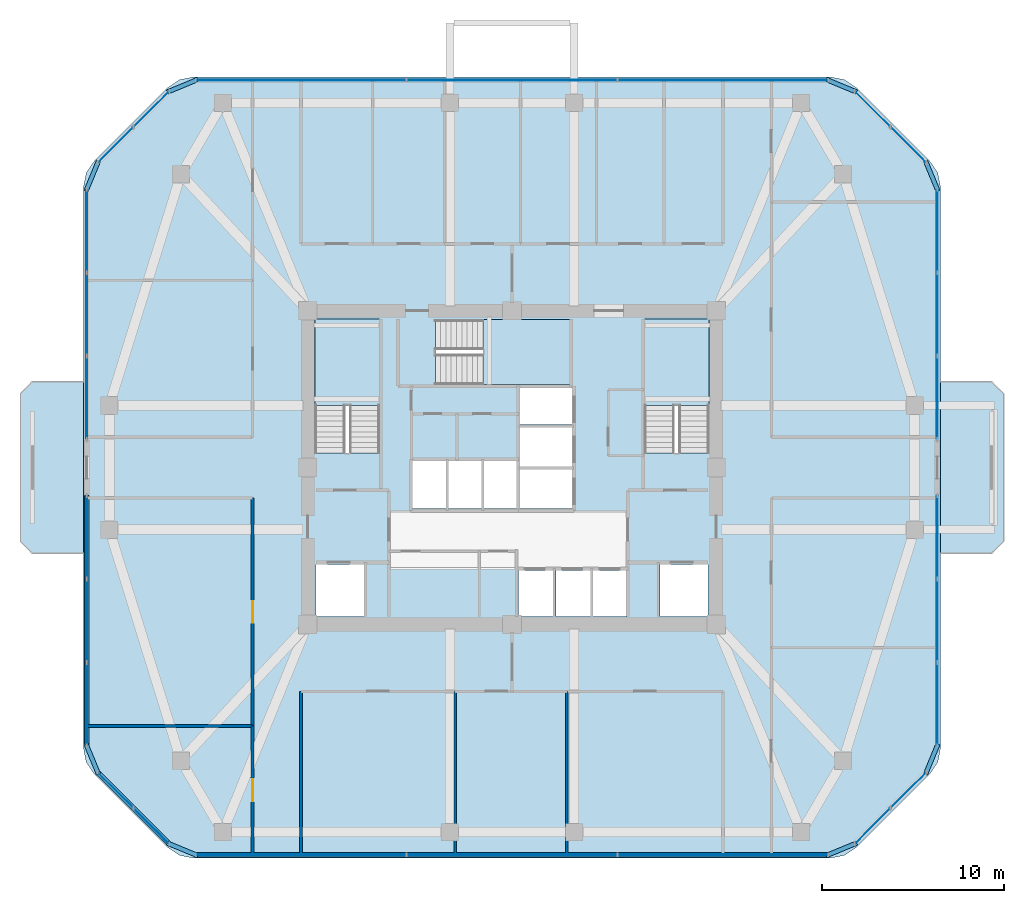
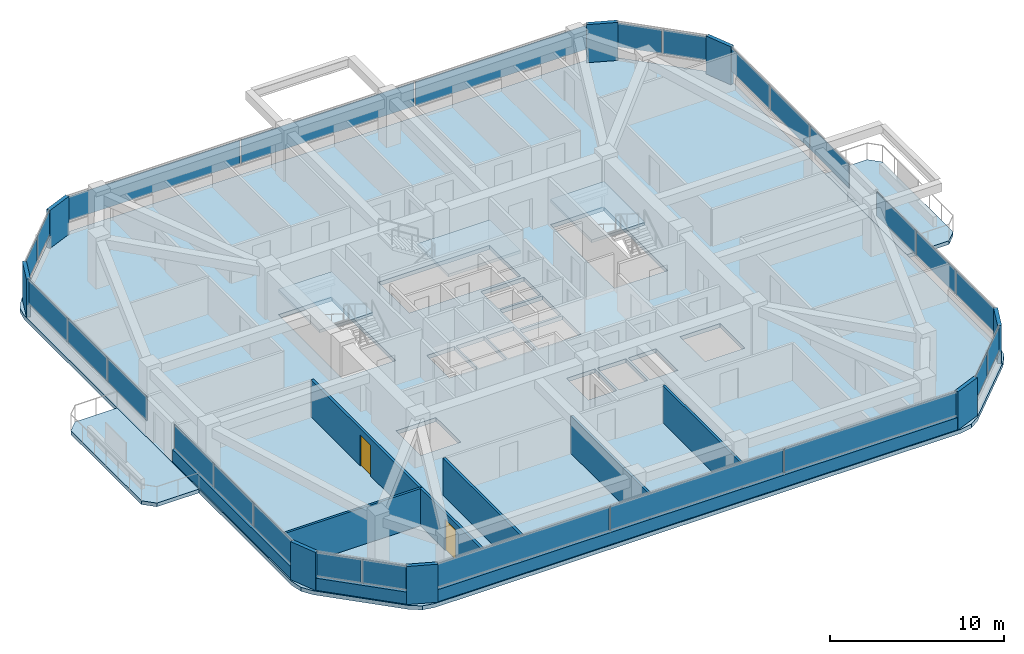
# One storey, part 7 of 13: 34 plates, 9 walls, 6 slabs, 2 doors, 2 openings, 13 elements without a shape of their own.
"""IFC4 building model written with IfcOpenShell, lengths in metres."""

from ifc_helpers import new_model, si_unit, derived_unit, direction, frame, frame_2d, origin, origin_2d, place, context, subcontext, project, spatial, polyline, rectangle, outline, extrude, material, layer, layer_set, type_object, element, fill, aggregate, save


model = new_model("IFC4")

# Units and contexts
model_context = context("Model", 3, precision=1e-05, world=origin(), true_north=direction((0.0, 1.0)))
body_context = subcontext(model_context, "Body", "Model", "MODEL_VIEW")
ifc_project = project(units=[si_unit("LENGTHUNIT", "METRE"), si_unit("AREAUNIT", "SQUARE_METRE"), si_unit("VOLUMEUNIT", "CUBIC_METRE"), si_unit("PLANEANGLEUNIT", "RADIAN"), si_unit("MASSUNIT", "GRAM", prefix="KILO"), derived_unit("THERMALTRANSMITTANCEUNIT", [(si_unit("POWERUNIT", "WATT"), 1), (si_unit("LENGTHUNIT", "METRE"), -2), (si_unit("THERMODYNAMICTEMPERATUREUNIT", "KELVIN"), -1)])], contexts=[model_context])

# Site, building, storey
site_placement = place(None, origin())
site = spatial("IfcSite", under=ifc_project, at=site_placement, CompositionType="ELEMENT")
building_placement = place(site_placement, origin())
building = spatial("IfcBuilding", under=site, at=building_placement, Name="Koralith Skygarden Medical Center", CompositionType="ELEMENT")
storey_placement = place(building_placement, frame((0.0, 0.0, 156.419921875)))
storey = spatial("IfcBuildingStorey", under=building, at=storey_placement, Name="L40", CompositionType="ELEMENT", Elevation=156.419921875)

# Curtain wall, plates
ifc_material_1 = material(Name="Clear Laminated Glass", Category="glass")
curtain_wall_type = type_object("IfcCurtainWallType", Name="CW-4 Zone 3 Waist High-Wind Curtain Wall", PredefinedType="NOTDEFINED", material=ifc_material_1)
curtain_wall_1_placement = place(storey_placement, origin())
curtain_wall_1 = element("IfcCurtainWall", 1, at=curtain_wall_1_placement, inside=storey, type_object=curtain_wall_type, Name="Curtain Wall CW-L40-S", PredefinedType="NOTDEFINED")
ifc_layer_1 = layer(ifc_material_1, 0.035888671875)
ifc_layer_set_1 = layer_set([ifc_layer_1], Name="Clear Laminated Glass")
plate_type_1 = type_object("IfcPlateType", Name="CW-4 Hurricane Laminated IGU Panel 36", PredefinedType="CURTAIN_PANEL", material=ifc_layer_set_1)
plate_1_placement = place(storey_placement, frame((25.447021484375, 4.679931640625, 0.919921875), z_axis=(0.0, 0.0, 1.0), x_axis=(1.0, 0.0, 0.0)))
plate_1 = element("IfcPlate", 2, at=plate_1_placement, type_object=plate_type_1, Name="CW-L40-S Glazed Panel 1", PredefinedType="CURTAIN_PANEL", context=body_context, shape_type="SweptSolid", body=[
    extrude(rectangle(XDim=11.462890625, YDim=0.035888671875, at=origin_2d()), origin(), (0.0, 0.0, 1.0), 1.679931640625),
])
plate_2_placement = place(storey_placement, frame((37.0, 4.679931640625, 0.919921875), z_axis=(0.0, 0.0, 1.0), x_axis=(1.0, 0.0, 0.0)))
plate_2 = element("IfcPlate", 3, at=plate_2_placement, type_object=plate_type_1, Name="CW-L40-S Glazed Panel 2", PredefinedType="CURTAIN_PANEL", context=body_context, shape_type="SweptSolid", body=[
    extrude(rectangle(XDim=11.462890625, YDim=0.035888671875, at=origin_2d()), origin(), (0.0, 0.0, 1.0), 1.679931640625),
])
plate_3_placement = place(storey_placement, frame((48.552978515625, 4.679931640625, 0.919921875), z_axis=(0.0, 0.0, 1.0), x_axis=(1.0, 0.0, 0.0)))
plate_3 = element("IfcPlate", 4, at=plate_3_placement, type_object=plate_type_1, Name="CW-L40-S Glazed Panel 3", PredefinedType="CURTAIN_PANEL", context=body_context, shape_type="SweptSolid", body=[
    extrude(rectangle(XDim=11.462890625, YDim=0.035888671875, at=origin_2d()), origin(), (0.0, 0.0, 1.0), 1.679931640625),
])
aggregate(curtain_wall_1, [plate_1, plate_2, plate_3])

curtain_wall_2_placement = place(storey_placement, origin())
curtain_wall_2 = element("IfcCurtainWall", 5, at=curtain_wall_2_placement, inside=storey, type_object=curtain_wall_type, Name="Curtain Wall CW-L40-SE", PredefinedType="NOTDEFINED")
plate_4_placement = place(storey_placement, frame((56.760986328125, 6.261962890625, 0.919921875), z_axis=(0.0, 0.0, 1.0), x_axis=(0.707106781187, 0.707106781187, 0.0)))
plate_4 = element("IfcPlate", 6, at=plate_4_placement, type_object=plate_type_1, Name="CW-L40-SE Glazed Panel 1", PredefinedType="CURTAIN_PANEL", context=body_context, shape_type="SweptSolid", body=[
    extrude(rectangle(XDim=2.68408203125, YDim=0.035888671875, at=origin_2d()), origin(), (0.0, 0.0, 1.0), 1.679931640625),
])
plate_5_placement = place(storey_placement, frame((58.721923828125, 8.222900390625, 0.919921875), z_axis=(0.0, 0.0, 1.0), x_axis=(0.707106781187, 0.707106781187, 0.0)))
plate_5 = element("IfcPlate", 7, at=plate_5_placement, type_object=plate_type_1, Name="CW-L40-SE Glazed Panel 2", PredefinedType="CURTAIN_PANEL", context=body_context, shape_type="SweptSolid", body=[
    extrude(rectangle(XDim=2.68408203125, YDim=0.035888671875, at=origin_2d()), origin(), (0.0, 0.0, 1.0), 1.679931640625),
])
aggregate(curtain_wall_2, [plate_4, plate_5])

curtain_wall_3_placement = place(storey_placement, origin())
curtain_wall_3 = element("IfcCurtainWall", 8, at=curtain_wall_3_placement, inside=storey, type_object=curtain_wall_type, Name="Curtain Wall CW-L40-E-L", PredefinedType="NOTDEFINED")
plate_6_placement = place(storey_placement, frame((60.303955078125, 12.93896484375, 0.919921875), z_axis=(0.0, 0.0, 1.0), x_axis=(0.0, 1.0, 0.0)))
plate_6 = element("IfcPlate", 9, at=plate_6_placement, type_object=plate_type_1, Name="CW-L40-E-L Glazed Panel 1", PredefinedType="CURTAIN_PANEL", context=body_context, shape_type="SweptSolid", body=[
    extrude(rectangle(XDim=4.47802734375, YDim=0.035888671875, at=origin_2d()), origin(), (0.0, 0.0, 1.0), 1.679931640625),
])
plate_7_placement = place(storey_placement, frame((60.303955078125, 17.508056640625, 0.919921875), z_axis=(0.0, 0.0, 1.0), x_axis=(0.0, 1.0, 0.0)))
plate_7 = element("IfcPlate", 10, at=plate_7_placement, type_object=plate_type_1, Name="CW-L40-E-L Glazed Panel 2", PredefinedType="CURTAIN_PANEL", context=body_context, shape_type="SweptSolid", body=[
    extrude(rectangle(XDim=4.47802734375, YDim=0.035888671875, at=origin_2d()), origin(), (0.0, 0.0, 1.0), 1.679931640625),
])
plate_8_placement = place(storey_placement, frame((60.303955078125, 22.075927734375, 0.919921875), z_axis=(0.0, 0.0, 1.0), x_axis=(0.0, 1.0, 0.0)))
plate_8 = element("IfcPlate", 11, at=plate_8_placement, type_object=plate_type_1, Name="CW-L40-E-L Glazed Panel 3", PredefinedType="CURTAIN_PANEL", context=body_context, shape_type="SweptSolid", body=[
    extrude(rectangle(XDim=4.47802734375, YDim=0.035888671875, at=origin_2d()), origin(), (0.0, 0.0, 1.0), 1.679931640625),
])
aggregate(curtain_wall_3, [plate_6, plate_7, plate_8])

curtain_wall_4_placement = place(storey_placement, origin())
curtain_wall_4 = element("IfcCurtainWall", 12, at=curtain_wall_4_placement, inside=storey, type_object=curtain_wall_type, Name="Curtain Wall CW-L40-E-R", PredefinedType="NOTDEFINED")
plate_9_placement = place(storey_placement, frame((60.303955078125, 29.72412109375, 0.919921875), z_axis=(0.0, 0.0, 1.0), x_axis=(0.0, 1.0, 0.0)))
plate_9 = element("IfcPlate", 13, at=plate_9_placement, type_object=plate_type_1, Name="CW-L40-E-R Glazed Panel 1", PredefinedType="CURTAIN_PANEL", context=body_context, shape_type="SweptSolid", body=[
    extrude(rectangle(XDim=4.47802734375, YDim=0.035888671875, at=origin_2d()), origin(), (0.0, 0.0, 1.0), 1.679931640625),
])
plate_10_placement = place(storey_placement, frame((60.303955078125, 34.29296875, 0.919921875), z_axis=(0.0, 0.0, 1.0), x_axis=(0.0, 1.0, 0.0)))
plate_10 = element("IfcPlate", 14, at=plate_10_placement, type_object=plate_type_1, Name="CW-L40-E-R Glazed Panel 2", PredefinedType="CURTAIN_PANEL", context=body_context, shape_type="SweptSolid", body=[
    extrude(rectangle(XDim=4.47802734375, YDim=0.035888671875, at=origin_2d()), origin(), (0.0, 0.0, 1.0), 1.679931640625),
])
plate_11_placement = place(storey_placement, frame((60.303955078125, 38.861083984375, 0.919921875), z_axis=(0.0, 0.0, 1.0), x_axis=(0.0, 1.0, 0.0)))
plate_11 = element("IfcPlate", 15, at=plate_11_placement, type_object=plate_type_1, Name="CW-L40-E-R Glazed Panel 3", PredefinedType="CURTAIN_PANEL", context=body_context, shape_type="SweptSolid", body=[
    extrude(rectangle(XDim=4.47802734375, YDim=0.035888671875, at=origin_2d()), origin(), (0.0, 0.0, 1.0), 1.679931640625),
])
aggregate(curtain_wall_4, [plate_9, plate_10, plate_11])

curtain_wall_5_placement = place(storey_placement, origin())
curtain_wall_5 = element("IfcCurtainWall", 16, at=curtain_wall_5_placement, inside=storey, type_object=curtain_wall_type, Name="Curtain Wall CW-L40-NE", PredefinedType="NOTDEFINED")
plate_12_placement = place(storey_placement, frame((58.721923828125, 43.576904296875, 0.919921875), z_axis=(0.0, 0.0, 1.0), x_axis=(-0.707106781187, 0.707106781187, 0.0)))
plate_12 = element("IfcPlate", 17, at=plate_12_placement, type_object=plate_type_1, Name="CW-L40-NE Glazed Panel 1", PredefinedType="CURTAIN_PANEL", context=body_context, shape_type="SweptSolid", body=[
    extrude(rectangle(XDim=2.68408203125, YDim=0.035888671875, at=origin_2d()), origin(), (0.0, 0.0, 1.0), 1.679931640625),
])
plate_13_placement = place(storey_placement, frame((56.760986328125, 45.5380859375, 0.919921875), z_axis=(0.0, 0.0, 1.0), x_axis=(-0.707106781187, 0.707106781187, 0.0)))
plate_13 = element("IfcPlate", 18, at=plate_13_placement, type_object=plate_type_1, Name="CW-L40-NE Glazed Panel 2", PredefinedType="CURTAIN_PANEL", context=body_context, shape_type="SweptSolid", body=[
    extrude(rectangle(XDim=2.68408203125, YDim=0.035888671875, at=origin_2d()), origin(), (0.0, 0.0, 1.0), 1.679931640625),
])
aggregate(curtain_wall_5, [plate_12, plate_13])

curtain_wall_6_placement = place(storey_placement, origin())
curtain_wall_6 = element("IfcCurtainWall", 19, at=curtain_wall_6_placement, inside=storey, type_object=curtain_wall_type, Name="Curtain Wall CW-L40-N", PredefinedType="NOTDEFINED")
plate_14_placement = place(storey_placement, frame((48.552978515625, 47.1201171875, 0.919921875), z_axis=(0.0, 0.0, 1.0), x_axis=(-1.0, 0.0, 0.0)))
plate_14 = element("IfcPlate", 20, at=plate_14_placement, type_object=plate_type_1, Name="CW-L40-N Glazed Panel 1", PredefinedType="CURTAIN_PANEL", context=body_context, shape_type="SweptSolid", body=[
    extrude(rectangle(XDim=11.462890625, YDim=0.035888671875, at=origin_2d()), origin(), (0.0, 0.0, 1.0), 1.679931640625),
])
plate_15_placement = place(storey_placement, frame((37.0, 47.1201171875, 0.919921875), z_axis=(0.0, 0.0, 1.0), x_axis=(-1.0, 0.0, 0.0)))
plate_15 = element("IfcPlate", 21, at=plate_15_placement, type_object=plate_type_1, Name="CW-L40-N Glazed Panel 2", PredefinedType="CURTAIN_PANEL", context=body_context, shape_type="SweptSolid", body=[
    extrude(rectangle(XDim=11.462890625, YDim=0.035888671875, at=origin_2d()), origin(), (0.0, 0.0, 1.0), 1.679931640625),
])
plate_16_placement = place(storey_placement, frame((25.447021484375, 47.1201171875, 0.919921875), z_axis=(0.0, 0.0, 1.0), x_axis=(-1.0, 0.0, 0.0)))
plate_16 = element("IfcPlate", 22, at=plate_16_placement, type_object=plate_type_1, Name="CW-L40-N Glazed Panel 3", PredefinedType="CURTAIN_PANEL", context=body_context, shape_type="SweptSolid", body=[
    extrude(rectangle(XDim=11.462890625, YDim=0.035888671875, at=origin_2d()), origin(), (0.0, 0.0, 1.0), 1.679931640625),
])
aggregate(curtain_wall_6, [plate_14, plate_15, plate_16])

curtain_wall_7_placement = place(storey_placement, origin())
curtain_wall_7 = element("IfcCurtainWall", 23, at=curtain_wall_7_placement, inside=storey, type_object=curtain_wall_type, Name="Curtain Wall CW-L40-NW", PredefinedType="NOTDEFINED")
plate_17_placement = place(storey_placement, frame((17.239013671875, 45.5380859375, 0.919921875), z_axis=(0.0, 0.0, 1.0), x_axis=(-0.707106781187, -0.707106781187, 0.0)))
plate_17 = element("IfcPlate", 24, at=plate_17_placement, type_object=plate_type_1, Name="CW-L40-NW Glazed Panel 1", PredefinedType="CURTAIN_PANEL", context=body_context, shape_type="SweptSolid", body=[
    extrude(rectangle(XDim=2.68408203125, YDim=0.035888671875, at=origin_2d()), origin(), (0.0, 0.0, 1.0), 1.679931640625),
])
plate_18_placement = place(storey_placement, frame((15.278076171875, 43.576904296875, 0.919921875), z_axis=(0.0, 0.0, 1.0), x_axis=(-0.707106781187, -0.707106781187, 0.0)))
plate_18 = element("IfcPlate", 25, at=plate_18_placement, type_object=plate_type_1, Name="CW-L40-NW Glazed Panel 2", PredefinedType="CURTAIN_PANEL", context=body_context, shape_type="SweptSolid", body=[
    extrude(rectangle(XDim=2.68408203125, YDim=0.035888671875, at=origin_2d()), origin(), (0.0, 0.0, 1.0), 1.679931640625),
])
aggregate(curtain_wall_7, [plate_17, plate_18])

curtain_wall_8_placement = place(storey_placement, origin())
curtain_wall_8 = element("IfcCurtainWall", 26, at=curtain_wall_8_placement, inside=storey, type_object=curtain_wall_type, Name="Curtain Wall CW-L40-W-L", PredefinedType="NOTDEFINED")
plate_19_placement = place(storey_placement, frame((13.696044921875, 38.861083984375, 0.919921875), z_axis=(0.0, 0.0, 1.0), x_axis=(0.0, -1.0, 0.0)))
plate_19 = element("IfcPlate", 27, at=plate_19_placement, type_object=plate_type_1, Name="CW-L40-W-L Glazed Panel 1", PredefinedType="CURTAIN_PANEL", context=body_context, shape_type="SweptSolid", body=[
    extrude(rectangle(XDim=4.47802734375, YDim=0.035888671875, at=origin_2d()), origin(), (0.0, 0.0, 1.0), 1.679931640625),
])
plate_20_placement = place(storey_placement, frame((13.696044921875, 34.29296875, 0.919921875), z_axis=(0.0, 0.0, 1.0), x_axis=(0.0, -1.0, 0.0)))
plate_20 = element("IfcPlate", 28, at=plate_20_placement, type_object=plate_type_1, Name="CW-L40-W-L Glazed Panel 2", PredefinedType="CURTAIN_PANEL", context=body_context, shape_type="SweptSolid", body=[
    extrude(rectangle(XDim=4.47802734375, YDim=0.035888671875, at=origin_2d()), origin(), (0.0, 0.0, 1.0), 1.679931640625),
])
plate_21_placement = place(storey_placement, frame((13.696044921875, 29.72412109375, 0.919921875), z_axis=(0.0, 0.0, 1.0), x_axis=(0.0, -1.0, 0.0)))
plate_21 = element("IfcPlate", 29, at=plate_21_placement, type_object=plate_type_1, Name="CW-L40-W-L Glazed Panel 3", PredefinedType="CURTAIN_PANEL", context=body_context, shape_type="SweptSolid", body=[
    extrude(rectangle(XDim=4.47802734375, YDim=0.035888671875, at=origin_2d()), origin(), (0.0, 0.0, 1.0), 1.679931640625),
])
aggregate(curtain_wall_8, [plate_19, plate_20, plate_21])

curtain_wall_9_placement = place(storey_placement, origin())
curtain_wall_9 = element("IfcCurtainWall", 30, at=curtain_wall_9_placement, inside=storey, type_object=curtain_wall_type, Name="Curtain Wall CW-L40-W-R", PredefinedType="NOTDEFINED")
plate_22_placement = place(storey_placement, frame((13.696044921875, 22.075927734375, 0.919921875), z_axis=(0.0, 0.0, 1.0), x_axis=(0.0, -1.0, 0.0)))
plate_22 = element("IfcPlate", 31, at=plate_22_placement, type_object=plate_type_1, Name="CW-L40-W-R Glazed Panel 1", PredefinedType="CURTAIN_PANEL", context=body_context, shape_type="SweptSolid", body=[
    extrude(rectangle(XDim=4.47802734375, YDim=0.035888671875, at=origin_2d()), origin(), (0.0, 0.0, 1.0), 1.679931640625),
])
plate_23_placement = place(storey_placement, frame((13.696044921875, 17.508056640625, 0.919921875), z_axis=(0.0, 0.0, 1.0), x_axis=(0.0, -1.0, 0.0)))
plate_23 = element("IfcPlate", 32, at=plate_23_placement, type_object=plate_type_1, Name="CW-L40-W-R Glazed Panel 2", PredefinedType="CURTAIN_PANEL", context=body_context, shape_type="SweptSolid", body=[
    extrude(rectangle(XDim=4.47802734375, YDim=0.035888671875, at=origin_2d()), origin(), (0.0, 0.0, 1.0), 1.679931640625),
])
plate_24_placement = place(storey_placement, frame((13.696044921875, 12.93896484375, 0.919921875), z_axis=(0.0, 0.0, 1.0), x_axis=(0.0, -1.0, 0.0)))
plate_24 = element("IfcPlate", 33, at=plate_24_placement, type_object=plate_type_1, Name="CW-L40-W-R Glazed Panel 3", PredefinedType="CURTAIN_PANEL", context=body_context, shape_type="SweptSolid", body=[
    extrude(rectangle(XDim=4.47802734375, YDim=0.035888671875, at=origin_2d()), origin(), (0.0, 0.0, 1.0), 1.679931640625),
])
aggregate(curtain_wall_9, [plate_22, plate_23, plate_24])

curtain_wall_10_placement = place(storey_placement, origin())
curtain_wall_10 = element("IfcCurtainWall", 34, at=curtain_wall_10_placement, inside=storey, type_object=curtain_wall_type, Name="Curtain Wall CW-L40-SW", PredefinedType="NOTDEFINED")
plate_25_placement = place(storey_placement, frame((15.278076171875, 8.222900390625, 0.919921875), z_axis=(0.0, 0.0, 1.0), x_axis=(0.707106781187, -0.707106781187, 0.0)))
plate_25 = element("IfcPlate", 35, at=plate_25_placement, type_object=plate_type_1, Name="CW-L40-SW Glazed Panel 1", PredefinedType="CURTAIN_PANEL", context=body_context, shape_type="SweptSolid", body=[
    extrude(rectangle(XDim=2.68408203125, YDim=0.035888671875, at=origin_2d()), origin(), (0.0, 0.0, 1.0), 1.679931640625),
])
plate_26_placement = place(storey_placement, frame((17.239013671875, 6.261962890625, 0.919921875), z_axis=(0.0, 0.0, 1.0), x_axis=(0.707106781187, -0.707106781187, 0.0)))
plate_26 = element("IfcPlate", 36, at=plate_26_placement, type_object=plate_type_1, Name="CW-L40-SW Glazed Panel 2", PredefinedType="CURTAIN_PANEL", context=body_context, shape_type="SweptSolid", body=[
    extrude(rectangle(XDim=2.68408203125, YDim=0.035888671875, at=origin_2d()), origin(), (0.0, 0.0, 1.0), 1.679931640625),
])
aggregate(curtain_wall_10, [plate_25, plate_26])

# Slabs
ifc_material_2 = material(Name="Concrete C45/55", Category="concrete")
ifc_layer_2 = layer(ifc_material_2, 0.260009765625)
ifc_layer_set_2 = layer_set([ifc_layer_2], Name="Concrete C45/55")
slab_type_1 = type_object("IfcSlabType", Name="Cantilevered Planted Balcony Slab 260", PredefinedType="FLOOR", material=ifc_layer_set_2)
slab_1_placement = place(storey_placement, frame((0.0, 0.0, -0.260009765625)))
element("IfcSlab", 37, at=slab_1_placement, inside=storey, type_object=slab_type_1, Name="L40 E Planted Sky-Garden Balcony Slab", PredefinedType="FLOOR", context=body_context, shape_type="SweptSolid", body=[
    extrude(outline(polyline([(60.48388671875, 21.199951171875), (63.283935546875, 21.199951171875), (63.93408203125, 21.85009765625), (63.93408203125, 29.949951171875), (63.283935546875, 30.60009765625), (60.48388671875, 30.60009765625), (60.48388671875, 21.199951171875)])), origin(), (0.0, 0.0, 1.0), 0.260009765625),
])
slab_2_placement = place(storey_placement, frame((0.0, 0.0, -0.260009765625)))
element("IfcSlab", 38, at=slab_2_placement, inside=storey, type_object=slab_type_1, Name="L40 W Planted Sky-Garden Balcony Slab", PredefinedType="FLOOR", context=body_context, shape_type="SweptSolid", body=[
    extrude(outline(polyline([(10.716064453125, 21.199951171875), (13.51611328125, 21.199951171875), (13.51611328125, 30.60009765625), (10.716064453125, 30.60009765625), (10.06591796875, 29.949951171875), (10.06591796875, 21.85009765625), (10.716064453125, 21.199951171875)])), origin(), (0.0, 0.0, 1.0), 0.260009765625),
])

# Stair, slab
stair_type = type_object("IfcStairType", Name="Core Exit Dogleg Concrete Stair", PredefinedType="HALF_TURN_STAIR", material=ifc_material_2)
stair_1_placement = place(storey_placement, origin())
stair_1 = element("IfcStair", 39, at=stair_1_placement, inside=storey, type_object=stair_type, Name="L40 Smokeproof Exit Stair ST1", PredefinedType="HALF_TURN_STAIR")
ifc_layer_3 = layer(ifc_material_2, 0.199951171875)
ifc_layer_set_3 = layer_set([ifc_layer_3], Name="Concrete C45/55")
slab_type_2 = type_object("IfcSlabType", Name="Core Exit Concrete Stair Landing 200", PredefinedType="LANDING", material=ifc_layer_set_3)
slab_3_placement = place(storey_placement, frame((0.0, 0.0, 1.60009765625)))
slab_3 = element("IfcSlab", 40, at=slab_3_placement, type_object=slab_type_2, Name="ST1 landing 1", PredefinedType="LANDING", context=body_context, shape_type="SweptSolid", body=[
    extrude(outline(polyline([(29.75, 29.31005859375), (29.75, 34.050048828125), (26.199951171875, 34.050048828125), (26.199951171875, 29.31005859375), (29.75, 29.31005859375)])), origin(), (0.0, 0.0, 1.0), 0.199951171875),
])
aggregate(stair_1, [slab_3])

stair_2_placement = place(storey_placement, origin())
stair_2 = element("IfcStair", 41, at=stair_2_placement, inside=storey, type_object=stair_type, Name="L40 Smokeproof Exit Stair ST2", PredefinedType="HALF_TURN_STAIR")
slab_4_placement = place(storey_placement, frame((0.0, 0.0, 1.60009765625)))
slab_4 = element("IfcSlab", 42, at=slab_4_placement, type_object=slab_type_2, Name="ST2 landing 1", PredefinedType="LANDING", context=body_context, shape_type="SweptSolid", body=[
    extrude(outline(polyline([(47.800048828125, 29.31005859375), (47.800048828125, 34.050048828125), (44.25, 34.050048828125), (44.25, 29.31005859375), (47.800048828125, 29.31005859375)])), origin(), (0.0, 0.0, 1.0), 0.199951171875),
])
aggregate(stair_2, [slab_4])

stair_3_placement = place(storey_placement, origin())
stair_3 = element("IfcStair", 43, at=stair_3_placement, inside=storey, type_object=stair_type, Name="L40 Smokeproof Exit Stair ST3", PredefinedType="HALF_TURN_STAIR")
slab_5_placement = place(storey_placement, frame((0.0, 0.0, 1.60009765625)))
slab_5 = element("IfcSlab", 44, at=slab_5_placement, type_object=slab_type_2, Name="ST3 landing 1", PredefinedType="LANDING", context=body_context, shape_type="SweptSolid", body=[
    extrude(outline(polyline([(35.409912109375, 30.449951171875), (40.199951171875, 30.449951171875), (40.199951171875, 34.0), (35.409912109375, 34.0), (35.409912109375, 30.449951171875)])), origin(), (0.0, 0.0, 1.0), 0.199951171875),
])
aggregate(stair_3, [slab_5])

# Slab
ifc_layer_4 = layer(ifc_material_2, 0.280029296875)
ifc_layer_set_4 = layer_set([ifc_layer_4], Name="Concrete C45/55")
slab_type_3 = type_object("IfcSlabType", Name="Post-Tensioned Ward Floor Plate 280", PredefinedType="FLOOR", material=ifc_layer_set_4)
slab_6_placement = place(storey_placement, frame((0.0, 0.0, -0.280029296875)))
element("IfcSlab", 45, at=slab_6_placement, inside=storey, type_object=slab_type_3, Name="Level L40 Structural Floor Slab", PredefinedType="FLOOR", context=body_context, shape_type="SweptSolid", body=[
    extrude(outline(polyline([(18.1298828125, 5.0859375), (18.779052734375, 4.652099609375), (19.5439453125, 4.5), (54.4560546875, 4.5), (55.220947265625, 4.652099609375), (55.8701171875, 5.0859375), (59.89794921875, 9.114013671875), (60.33203125, 9.762939453125), (60.48388671875, 10.528076171875), (60.48388671875, 41.27197265625), (60.33203125, 42.037109375), (59.89794921875, 42.68603515625), (55.8701171875, 46.714111328125), (55.220947265625, 47.14794921875), (54.4560546875, 47.300048828125), (19.5439453125, 47.300048828125), (18.779052734375, 47.14794921875), (18.1298828125, 46.714111328125), (14.10205078125, 42.68603515625), (13.66796875, 42.037109375), (13.51611328125, 41.27197265625), (13.51611328125, 10.528076171875), (13.66796875, 9.762939453125), (14.10205078125, 9.114013671875), (18.1298828125, 5.0859375)]), holes=[polyline([(26.199951171875, 26.705078125), (29.75, 26.705078125), (29.75, 34.050048828125), (26.199951171875, 34.050048828125), (26.199951171875, 26.705078125)]), polyline([(44.25, 26.705078125), (47.800048828125, 26.705078125), (47.800048828125, 34.050048828125), (44.25, 34.050048828125), (44.25, 26.705078125)]), polyline([(32.804931640625, 30.449951171875), (40.199951171875, 30.449951171875), (40.199951171875, 34.0), (32.804931640625, 34.0), (32.804931640625, 30.449951171875)]), polyline([(26.25, 17.75), (28.89990234375, 17.75), (28.89990234375, 20.60009765625), (26.25, 20.60009765625), (26.25, 17.75)]), polyline([(45.10009765625, 17.75), (47.75, 17.75), (47.75, 20.60009765625), (45.10009765625, 20.60009765625), (45.10009765625, 17.75)]), polyline([(37.35009765625, 17.75), (39.25, 17.75), (39.25, 20.25), (37.35009765625, 20.25), (37.35009765625, 17.75)]), polyline([(39.39990234375, 17.75), (41.300048828125, 17.75), (41.300048828125, 20.25), (39.39990234375, 20.25), (39.39990234375, 17.75)]), polyline([(41.449951171875, 17.75), (43.300048828125, 17.75), (43.300048828125, 20.25), (41.449951171875, 20.25), (41.449951171875, 17.75)]), polyline([(31.550048828125, 23.64990234375), (33.39990234375, 23.64990234375), (33.39990234375, 26.25), (31.550048828125, 26.25), (31.550048828125, 23.64990234375)]), polyline([(33.5, 23.64990234375), (35.35009765625, 23.64990234375), (35.35009765625, 26.25), (33.5, 26.25), (33.5, 23.64990234375)]), polyline([(35.449951171875, 23.64990234375), (37.300048828125, 23.64990234375), (37.300048828125, 26.25), (35.449951171875, 26.25), (35.449951171875, 23.64990234375)]), polyline([(37.449951171875, 23.64990234375), (40.300048828125, 23.64990234375), (40.300048828125, 25.800048828125), (37.449951171875, 25.800048828125), (37.449951171875, 23.64990234375)]), polyline([(37.449951171875, 25.949951171875), (40.300048828125, 25.949951171875), (40.300048828125, 28.10009765625), (37.449951171875, 28.10009765625), (37.449951171875, 25.949951171875)]), polyline([(37.449951171875, 28.25), (40.300048828125, 28.25), (40.300048828125, 30.25), (37.449951171875, 30.25), (37.449951171875, 28.25)])]), origin(), (0.0, 0.0, 1.0), 0.280029296875),
])

# Plates
ifc_material_3 = material(Name="Warm Oolitic Limestone Cladding", Category="masonry")
ifc_layer_5 = layer(ifc_material_3, 0.239990234375)
ifc_layer_set_5 = layer_set([ifc_layer_5], Name="Warm Oolitic Limestone Cladding")
plate_type_2 = type_object("IfcPlateType", Name="Rounded-Corner Oolitic Limestone Cladding Panel 240", PredefinedType="USERDEFINED", material=ifc_layer_set_5)
for number, where, z_axis, x_axis, name in (
    (46, (55.054931640625, 4.97998046875, 0.0), (0.0, 0.0, 1.0), (0.92388487569, 0.382670532536, 0.0), "L40 Rounded-Corner Limestone Pier 1"),
    (47, (60.00390625, 9.929931640625, 0.0), (0.0, 0.0, 1.0), (0.382670532536, 0.92388487569, 0.0), "L40 Rounded-Corner Limestone Pier 2"),
    (48, (60.00390625, 41.8701171875, 0.0), (0.0, 0.0, 1.0), (-0.382670532536, 0.92388487569, 0.0), "L40 Rounded-Corner Limestone Pier 3"),
    (49, (55.054931640625, 46.819091796875, 0.0), (0.0, 0.0, 1.0), (-0.92388487569, 0.382670532536, 0.0), "L40 Rounded-Corner Limestone Pier 4"),
    (50, (18.945068359375, 46.819091796875, 0.0), (0.0, 0.0, 1.0), (-0.92388487569, -0.382670532536, 0.0), "L40 Rounded-Corner Limestone Pier 5"),
    (51, (13.9970703125, 41.8701171875, 0.0), (0.0, 0.0, 1.0), (-0.382670532536, -0.92388487569, 0.0), "L40 Rounded-Corner Limestone Pier 6"),
    (52, (13.9970703125, 9.929931640625, 0.0), (0.0, 0.0, 1.0), (0.382670532536, -0.92388487569, 0.0), "L40 Rounded-Corner Limestone Pier 7"),
    (53, (18.945068359375, 4.97998046875, 0.0), (0.0, 0.0, 1.0), (0.92388487569, -0.382670532536, 0.0), "L40 Rounded-Corner Limestone Pier 8"),
):
    element("IfcPlate", number, at=place(storey_placement, frame(where, z_axis=z_axis, x_axis=x_axis)), inside=storey, type_object=plate_type_2, Name=name, ObjectType="LIMESTONE CLADDING", PredefinedType="USERDEFINED", context=body_context, shape_type="SweptSolid", body=[
        extrude(rectangle(XDim=1.81103515625, YDim=0.239990234375, at=origin_2d()), origin(), (0.0, 0.0, 1.0), 2.669921875),
    ])

# Walls
ifc_material_4 = material(Name="Gypsum Board Partition")
ifc_layer_6 = layer(ifc_material_4, 0.14990234375)
ifc_layer_set_6 = layer_set([ifc_layer_6], Name="Gypsum Board Partition")
wall_type_1 = type_object("IfcWallType", Name="Clinical Acoustic Partition 150", PredefinedType="PARTITIONING", material=ifc_layer_set_6)
for number, where, z_axis, x_axis, name in (
    (54, (33.887939453125, 13.639892578125, 0.0), (0.0, 0.0, 1.0), (0.0, -1.0, 0.0), "L40 Clinical Acoustic Partition 150 W-PART-L40-S-01"),
    (55, (40.006103515625, 13.639892578125, 0.0), (0.0, 0.0, 1.0), (0.0, -1.0, 0.0), "L40 Clinical Acoustic Partition 150 W-PART-L40-S-02"),
):
    element("IfcWall", number, at=place(storey_placement, frame(where, z_axis=z_axis, x_axis=x_axis)), inside=storey, type_object=wall_type_1, Name=name, PredefinedType="PARTITIONING", context=body_context, shape_type="SweptSolid", body=[
        extrude(rectangle(XDim=8.93994140625, YDim=0.14990234375, at=frame_2d((4.469970703125, 0.0))), origin(), (0.0, 0.0, 1.0), 2.610107421875),
    ])
wall_1_placement = place(storey_placement, frame((22.7900390625, 11.73388671875, 0.0), z_axis=(0.0, 0.0, 1.0), x_axis=(-1.0, 0.0, 0.0)))
element("IfcWall", 56, at=wall_1_placement, inside=storey, type_object=wall_type_1, Name="L40 Clinical Acoustic Partition 150 W-PART-L40-WS-01", PredefinedType="PARTITIONING", context=body_context, shape_type="SweptSolid", body=[
    extrude(rectangle(XDim=9.073974609375, YDim=0.14990234375, at=frame_2d((4.537109375, 0.0))), origin(), (0.0, 0.0, 1.0), 2.610107421875),
])
ifc_layer_7 = layer(ifc_material_4, 0.1650390625)
ifc_layer_set_7 = layer_set([ifc_layer_7], Name="Gypsum Board Partition")
wall_type_2 = type_object("IfcWallType", Name="Clinical Corridor Partition 165", PredefinedType="PARTITIONING", material=ifc_layer_set_7)
wall_2_placement = place(storey_placement, frame((25.429931640625, 4.699951171875, 0.0), z_axis=(0.0, 0.0, 1.0), x_axis=(0.0, 1.0, 0.0)))
element("IfcWall", 57, at=wall_2_placement, inside=storey, type_object=wall_type_2, Name="L40 Clinical Corridor Partition 165 W-HCOR-L40-SW", PredefinedType="PARTITIONING", context=body_context, shape_type="SweptSolid", body=[
    extrude(rectangle(XDim=8.93994140625, YDim=0.1650390625, at=frame_2d((4.469970703125, 0.0))), origin(), (0.0, 0.0, 1.0), 2.610107421875),
])

# Wall, opening, door
wall_3_placement = place(storey_placement, frame((22.7900390625, 4.699951171875, 0.0), z_axis=(0.0, 0.0, 1.0), x_axis=(0.0, 1.0, 0.0)))
wall_3 = element("IfcWall", 58, at=wall_3_placement, inside=storey, type_object=wall_type_2, Name="L40 Clinical Corridor Partition 165 W-CORR-L40-WS-01", PredefinedType="PARTITIONING", context=body_context, shape_type="SweptSolid", body=[
    extrude(rectangle(XDim=7.033935546875, YDim=0.1650390625, at=frame_2d((3.51708984375, 0.0))), origin(), (0.0, 0.0, 1.0), 2.610107421875),
])
opening_1_placement = place(wall_3_placement, frame((2.9169921875, 0.0, 0.0)))
opening_1 = element("IfcOpeningElement", 59, at=opening_1_placement, cuts=wall_3, Name="Opening D-CLN", PredefinedType="OPENING", context=body_context, shape_type="SweptSolid", body=[
    extrude(rectangle(XDim=1.199951171875, YDim=2.14990234375, at=frame_2d((0.60009765625, 1.074951171875))), frame((0.0, 0.092529296875, 0.0), z_axis=(0.0, -1.0, 0.0), x_axis=(1.0, 0.0, 0.0)), (0.0, 0.0, 1.0), 0.18505859375),
])
ifc_material_5 = material(Name="Aluminium 6063-T6", Category="aluminium")
door_type = type_object("IfcDoorType", Name="Clinical Corridor Door D-CLN 1200", OperationType="NOTDEFINED", PredefinedType="DOOR", material=ifc_material_5)
door_1_placement = place(opening_1_placement, frame((1.199951171875, 0.0, 0.0), z_axis=(0.0, 0.0, 1.0), x_axis=(-1.0, 0.0, 0.0)))
door_1 = element("IfcDoor", 60, at=door_1_placement, inside=storey, type_object=door_type, Name="L40 Dialysis Recovery Sitting Lounge 10 Door", OperationType="SINGLE_SWING_LEFT", OverallHeight=2.14990234375, OverallWidth=1.199951171875, PredefinedType="DOOR", context=body_context, shape_type="SweptSolid", body=[
    extrude(rectangle(XDim=1.199951171875, YDim=2.14990234375, at=frame_2d((0.60009765625, 1.074951171875))), frame((0.0, 0.02490234375, 0.0), z_axis=(0.0, -1.0, 0.0), x_axis=(1.0, 0.0, 0.0)), (0.0, 0.0, 1.0), 0.050048828125),
])
fill(opening_1, door_1)

wall_4_placement = place(storey_placement, frame((22.7900390625, 11.73388671875, 0.0), z_axis=(0.0, 0.0, 1.0), x_axis=(0.0, 1.0, 0.0)))
wall_4 = element("IfcWall", 61, at=wall_4_placement, inside=storey, type_object=wall_type_2, Name="L40 Clinical Corridor Partition 165 W-CORR-L40-WS-02", PredefinedType="PARTITIONING", context=body_context, shape_type="SweptSolid", body=[
    extrude(rectangle(XDim=12.506103515625, YDim=0.1650390625, at=frame_2d((6.2529296875, 0.0))), origin(), (0.0, 0.0, 1.0), 2.610107421875),
])
opening_2_placement = place(wall_4_placement, frame((5.653076171875, 0.0, 0.0)))
opening_2 = element("IfcOpeningElement", 62, at=opening_2_placement, cuts=wall_4, Name="Opening D-CLN", PredefinedType="OPENING", context=body_context, shape_type="SweptSolid", body=[
    extrude(rectangle(XDim=1.199951171875, YDim=2.14990234375, at=frame_2d((0.60009765625, 1.074951171875))), frame((0.0, 0.092529296875, 0.0), z_axis=(0.0, -1.0, 0.0), x_axis=(1.0, 0.0, 0.0)), (0.0, 0.0, 1.0), 0.18505859375),
])
door_2_placement = place(opening_2_placement, frame((1.199951171875, 0.0, 0.0), z_axis=(0.0, 0.0, 1.0), x_axis=(-1.0, 0.0, 0.0)))
door_2 = element("IfcDoor", 63, at=door_2_placement, inside=storey, type_object=door_type, Name="L40 Renal Dietetics Classroom 11 Door", OperationType="SINGLE_SWING_RIGHT", OverallHeight=2.14990234375, OverallWidth=1.199951171875, PredefinedType="DOOR", context=body_context, shape_type="SweptSolid", body=[
    extrude(rectangle(XDim=1.199951171875, YDim=2.14990234375, at=frame_2d((0.60009765625, 1.074951171875))), frame((0.0, 0.02490234375, 0.0), z_axis=(0.0, -1.0, 0.0), x_axis=(1.0, 0.0, 0.0)), (0.0, 0.0, 1.0), 0.050048828125),
])
fill(opening_2, door_2)

# Walls
ifc_layer_8 = layer(ifc_material_3, 0.239990234375)
ifc_layer_set_8 = layer_set([ifc_layer_8], Name="Warm Oolitic Limestone Cladding")
wall_type_3 = type_object("IfcWallType", Name="Limestone Spandrel Sill Backup Wall 240", PredefinedType="SOLIDWALL", material=ifc_layer_set_8)
wall_5_placement = place(storey_placement, frame((19.6708984375, 4.679931640625, 0.0), z_axis=(0.0, 0.0, 1.0), x_axis=(1.0, 0.0, 0.0)))
element("IfcWall", 64, at=wall_5_placement, inside=storey, type_object=wall_type_3, Name="L40 Sill Spandrel S", PredefinedType="SOLIDWALL", context=body_context, shape_type="SweptSolid", body=[
    extrude(rectangle(XDim=34.658203125, YDim=0.239990234375, at=frame_2d((17.3291015625, 0.0))), origin(), (0.0, 0.0, 1.0), 0.85009765625),
])
wall_6_placement = place(storey_placement, frame((13.696044921875, 24.360107421875, 0.0), z_axis=(0.0, 0.0, 1.0), x_axis=(0.0, -1.0, 0.0)))
element("IfcWall", 65, at=wall_6_placement, inside=storey, type_object=wall_type_3, Name="L40 Sill Spandrel W-R", PredefinedType="SOLIDWALL", context=body_context, shape_type="SweptSolid", body=[
    extrude(rectangle(XDim=13.705078125, YDim=0.239990234375, at=frame_2d((6.8525390625, 0.0))), origin(), (0.0, 0.0, 1.0), 0.85009765625),
])
wall_7_placement = place(storey_placement, frame((14.297119140625, 9.2041015625, 0.0), z_axis=(0.0, 0.0, 1.0), x_axis=(0.707084777957, -0.707128783731, 0.0)))
element("IfcWall", 66, at=wall_7_placement, inside=storey, type_object=wall_type_3, Name="L40 Sill Spandrel SW", PredefinedType="SOLIDWALL", context=body_context, shape_type="SweptSolid", body=[
    extrude(rectangle(XDim=5.5478515625, YDim=0.239990234375, at=frame_2d((2.77392578125, 0.0))), origin(), (0.0, 0.0, 1.0), 0.85009765625),
])

save(model, "model.ifc")
